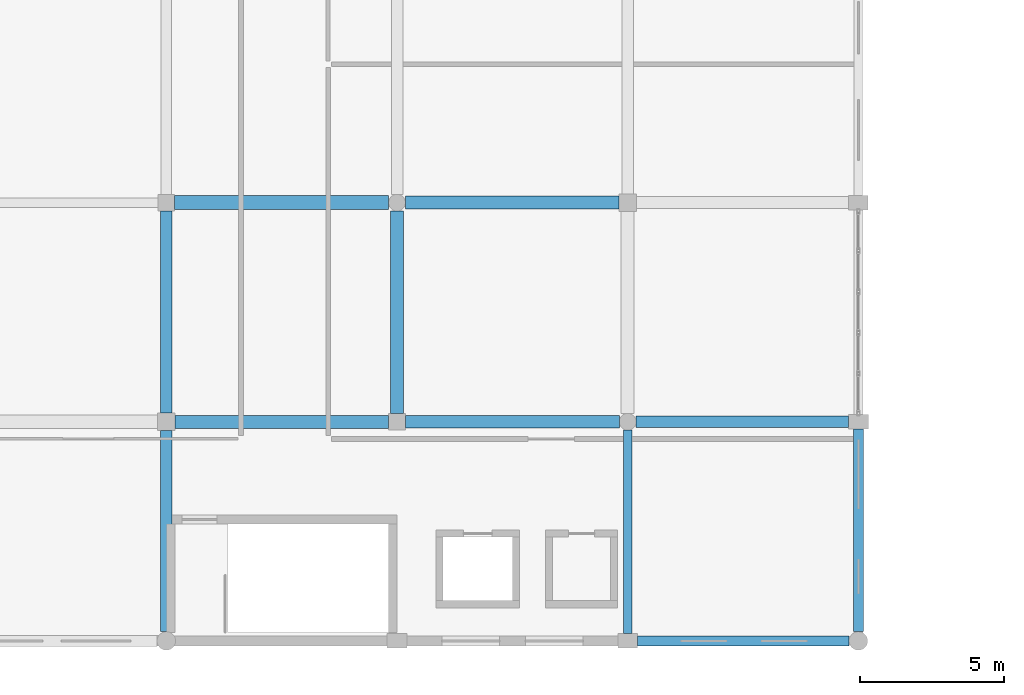
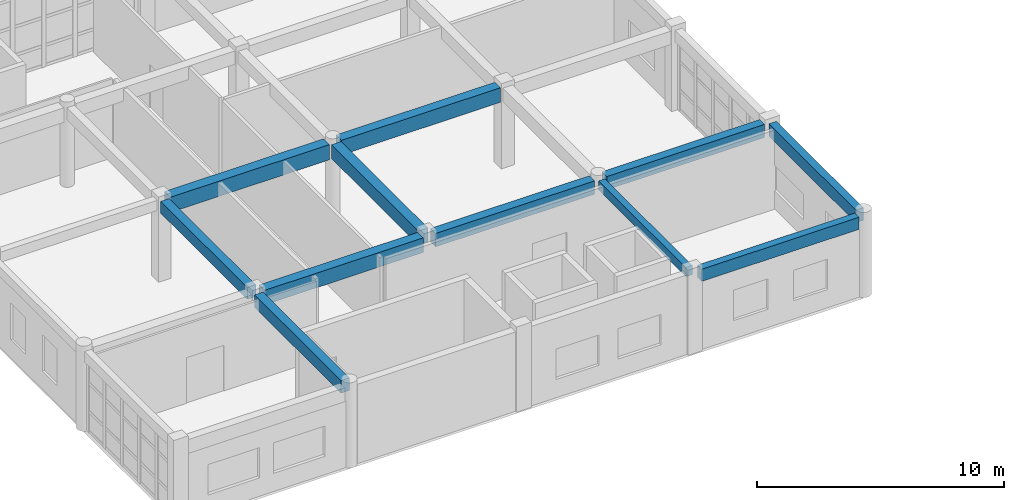
# One storey, part 64 of 121: 11 beams.
"""IFC4 building model written with IfcOpenShell, lengths in metres."""

from ifc_helpers import new_model, si_unit, direction, frame, origin, origin_2d, place, context, subcontext, project, spatial, rectangle, extrude, material, material_profile, profile_set, type_object, element, save


model = new_model("IFC4")

# Units and contexts
model_context = context("Model", 3, precision=1e-05, world=origin(), true_north=direction((0.0, 1.0)))
body_context = subcontext(model_context, "Body", "Model", "MODEL_VIEW")
ifc_project = project(units=[si_unit("LENGTHUNIT", "METRE"), si_unit("AREAUNIT", "SQUARE_METRE"), si_unit("VOLUMEUNIT", "CUBIC_METRE"), si_unit("PLANEANGLEUNIT", "RADIAN"), si_unit("MASSUNIT", "GRAM", prefix="KILO")], contexts=[model_context])

# Site, building, storey
site_placement = place(None, origin())
site = spatial("IfcSite", under=ifc_project, at=site_placement, CompositionType="ELEMENT")
building_placement = place(site_placement, origin())
building = spatial("IfcBuilding", under=site, at=building_placement, Name="Kharva Crest Polytechnic", CompositionType="ELEMENT")
storey_placement = place(building_placement, frame((0.0, 0.0, 13.199951171875)))
storey = spatial("IfcBuildingStorey", under=building, at=storey_placement, Name="L03", CompositionType="ELEMENT", Elevation=13.199951171875)

# Beams
ifc_material = material(Name="Concrete C35/45", Category="concrete")
ifc_material_profile_1 = material_profile(ifc_material, rectangle(XDim=0.300048828125, YDim=0.449951171875, at=origin_2d()), Name="RECT 300 X 450")
ifc_profile_set_1 = profile_set([ifc_material_profile_1], Name="Concrete C35/45")
beam_type_1 = type_object("IfcBeamType", Name="BM-RC-300X450", PredefinedType="BEAM", material=ifc_profile_set_1)
beam_1_placement = place(storey_placement, frame((144.800048828125, 0.25, 3.735107421875), z_axis=(0.0, 1.0, 0.0), x_axis=(-1.0, 0.0, 0.0)))
element("IfcBeam", 1, at=beam_1_placement, inside=storey, type_object=beam_type_1, Name="L03 Girder 19/A-B", PredefinedType="BEAM", context=body_context, shape_type="SweptSolid", body=[
    extrude(rectangle(XDim=0.300048828125, YDim=0.449951171875, at=origin_2d()), origin(), (0.0, 0.0, 1.0), 7.06005859375),
])
ifc_material_profile_2 = material_profile(ifc_material, rectangle(XDim=0.39990234375, YDim=0.580078125, at=origin_2d()), Name="RECT 400 X 580")
ifc_profile_set_2 = profile_set([ifc_material_profile_2], Name="Concrete C35/45")
beam_type_2 = type_object("IfcBeamType", Name="BM-RC-400X580", PredefinedType="BEAM", material=ifc_profile_set_2)
beam_2_placement = place(storey_placement, frame((128.800048828125, 7.89990234375, 3.670166015625), z_axis=(0.0, 1.0, 0.0), x_axis=(-1.0, 0.0, 0.0)))
element("IfcBeam", 2, at=beam_2_placement, inside=storey, type_object=beam_type_2, Name="L03 Girder 17/B-C", PredefinedType="BEAM", context=body_context, shape_type="SweptSolid", body=[
    extrude(rectangle(XDim=0.39990234375, YDim=0.580078125, at=origin_2d()), origin(), (0.0, 0.0, 1.0), 7.010009765625),
])
ifc_material_profile_3 = material_profile(ifc_material, rectangle(XDim=0.39990234375, YDim=0.6201171875, at=origin_2d()), Name="RECT 400 X 620")
ifc_profile_set_3 = profile_set([ifc_material_profile_3], Name="Concrete C35/45")
beam_type_3 = type_object("IfcBeamType", Name="BM-RC-400X620", PredefinedType="BEAM", material=ifc_profile_set_3)
beam_3_placement = place(storey_placement, frame((128.800048828125, 0.320068359375, 3.650146484375), z_axis=(0.0, 1.0, 0.0), x_axis=(-1.0, 0.0, 0.0)))
element("IfcBeam", 3, at=beam_3_placement, inside=storey, type_object=beam_type_3, Name="L03 Girder 17/A-B", PredefinedType="BEAM", context=body_context, shape_type="SweptSolid", body=[
    extrude(rectangle(XDim=0.39990234375, YDim=0.6201171875, at=origin_2d()), origin(), (0.0, 0.0, 1.0), 6.97998046875),
])
ifc_material_profile_4 = material_profile(ifc_material, rectangle(XDim=0.39990234375, YDim=0.64990234375, at=origin_2d()), Name="RECT 400 X 650")
ifc_profile_set_4 = profile_set([ifc_material_profile_4], Name="Concrete C35/45")
beam_type_4 = type_object("IfcBeamType", Name="BM-RC-400X650", PredefinedType="BEAM", material=ifc_profile_set_4)
beam_4_placement = place(storey_placement, frame((145.090087890625, 7.60009765625, 3.635009765625), z_axis=(1.0, 0.0, 0.0), x_axis=(0.0, 1.0, 0.0)))
element("IfcBeam", 4, at=beam_4_placement, inside=storey, type_object=beam_type_4, Name="L03 Beam B/19-20", PredefinedType="BEAM", context=body_context, shape_type="SweptSolid", body=[
    extrude(rectangle(XDim=0.39990234375, YDim=0.64990234375, at=origin_2d()), origin(), (0.0, 0.0, 1.0), 7.35986328125),
])
ifc_material_profile_5 = material_profile(ifc_material, rectangle(XDim=0.419921875, YDim=0.659912109375, at=origin_2d()), Name="RECT 420 X 660")
ifc_profile_set_5 = profile_set([ifc_material_profile_5], Name="Concrete C35/45")
beam_type_5 = type_object("IfcBeamType", Name="BM-RC-420X660", PredefinedType="BEAM", material=ifc_profile_set_5)
beam_5_placement = place(storey_placement, frame((137.090087890625, 7.60009765625, 3.630126953125), z_axis=(1.0, 0.0, 0.0), x_axis=(0.0, 1.0, 0.0)))
element("IfcBeam", 5, at=beam_5_placement, inside=storey, type_object=beam_type_5, Name="L03 Beam B/18-19", PredefinedType="BEAM", context=body_context, shape_type="SweptSolid", body=[
    extrude(rectangle(XDim=0.419921875, YDim=0.659912109375, at=origin_2d()), origin(), (0.0, 0.0, 1.0), 7.419921875),
])
ifc_material_profile_6 = material_profile(ifc_material, rectangle(XDim=0.449951171875, YDim=0.679931640625, at=origin_2d()), Name="RECT 450 X 680")
ifc_profile_set_6 = profile_set([ifc_material_profile_6], Name="Concrete C35/45")
beam_type_6 = type_object("IfcBeamType", Name="BM-RC-450X680", PredefinedType="BEAM", material=ifc_profile_set_6)
beam_6_placement = place(storey_placement, frame((136.800048828125, 7.889892578125, 3.6201171875), z_axis=(0.0, 1.0, 0.0), x_axis=(-1.0, 0.0, 0.0)))
element("IfcBeam", 6, at=beam_6_placement, inside=storey, type_object=beam_type_6, Name="L03 Girder 18/B-C", PredefinedType="BEAM", context=body_context, shape_type="SweptSolid", body=[
    extrude(rectangle(XDim=0.449951171875, YDim=0.679931640625, at=origin_2d()), origin(), (0.0, 0.0, 1.0), 7.02001953125),
])
ifc_material_profile_7 = material_profile(ifc_material, rectangle(XDim=0.449951171875, YDim=0.719970703125, at=origin_2d()), Name="RECT 450 X 720")
ifc_profile_set_7 = profile_set([ifc_material_profile_7], Name="Concrete C35/45")
beam_type_7 = type_object("IfcBeamType", Name="BM-RC-450X720", PredefinedType="BEAM", material=ifc_profile_set_7)
for number, where, z_axis, x_axis, name in (
    (7, (129.10009765625, 7.60009765625, 3.60009765625), (1.0, 0.0, 0.0), (0.0, 1.0, 0.0), "L03 Beam B/17-18"),
    (8, (137.090087890625, 15.199951171875, 3.60009765625), (1.0, 0.0, 0.0), (0.0, 1.0, 0.0), "L03 Beam C/18-19"),
):
    element("IfcBeam", number, at=place(storey_placement, frame(where, z_axis=z_axis, x_axis=x_axis)), inside=storey, type_object=beam_type_7, Name=name, PredefinedType="BEAM", context=body_context, shape_type="SweptSolid", body=[
        extrude(rectangle(XDim=0.449951171875, YDim=0.719970703125, at=origin_2d()), origin(), (0.0, 0.0, 1.0), 7.409912109375),
    ])
ifc_material_profile_8 = material_profile(ifc_material, rectangle(XDim=0.47998046875, YDim=0.75, at=origin_2d()), Name="RECT 480 X 750")
ifc_profile_set_8 = profile_set([ifc_material_profile_8], Name="Concrete C35/45")
beam_type_8 = type_object("IfcBeamType", Name="BM-RC-480X750", PredefinedType="BEAM", material=ifc_profile_set_8)
beam_7_placement = place(storey_placement, frame((129.090087890625, 15.199951171875, 3.5849609375), z_axis=(1.0, 0.0, 0.0), x_axis=(0.0, 1.0, 0.0)))
element("IfcBeam", 9, at=beam_7_placement, inside=storey, type_object=beam_type_8, Name="L03 Beam C/17-18", PredefinedType="BEAM", context=body_context, shape_type="SweptSolid", body=[
    extrude(rectangle(XDim=0.47998046875, YDim=0.75, at=origin_2d()), origin(), (0.0, 0.0, 1.0), 7.419921875),
])
ifc_material_profile_9 = material_profile(ifc_material, rectangle(XDim=0.340087890625, YDim=0.60009765625, at=origin_2d()), Name="RECT 340 X 600")
ifc_profile_set_9 = profile_set([ifc_material_profile_9], Name="Concrete C35/45")
beam_type_9 = type_object("IfcBeamType", Name="SP-RC-340X600", PredefinedType="SPANDREL", material=ifc_profile_set_9)
beam_8_placement = place(storey_placement, frame((145.139892578125, 0.0, 3.66015625), z_axis=(1.0, 0.0, 0.0), x_axis=(0.0, 1.0, 0.0)))
element("IfcBeam", 10, at=beam_8_placement, inside=storey, type_object=beam_type_9, Name="L03 Beam A/19-20", PredefinedType="SPANDREL", context=body_context, shape_type="SweptSolid", body=[
    extrude(rectangle(XDim=0.340087890625, YDim=0.60009765625, at=origin_2d()), origin(), (0.0, 0.0, 1.0), 7.340087890625),
])
ifc_material_profile_10 = material_profile(ifc_material, rectangle(XDim=0.35009765625, YDim=0.6201171875, at=origin_2d()), Name="RECT 350 X 620")
ifc_profile_set_10 = profile_set([ifc_material_profile_10], Name="Concrete C35/45")
beam_type_10 = type_object("IfcBeamType", Name="SP-RC-350X620", PredefinedType="SPANDREL", material=ifc_profile_set_10)
beam_9_placement = place(storey_placement, frame((152.800048828125, 0.320068359375, 3.650146484375), z_axis=(0.0, 1.0, 0.0), x_axis=(-1.0, 0.0, 0.0)))
element("IfcBeam", 11, at=beam_9_placement, inside=storey, type_object=beam_type_10, Name="L03 Girder 20/A-B", PredefinedType="SPANDREL", context=body_context, shape_type="SweptSolid", body=[
    extrude(rectangle(XDim=0.35009765625, YDim=0.6201171875, at=origin_2d()), origin(), (0.0, 0.0, 1.0), 7.030029296875),
])

save(model, "model.ifc")
